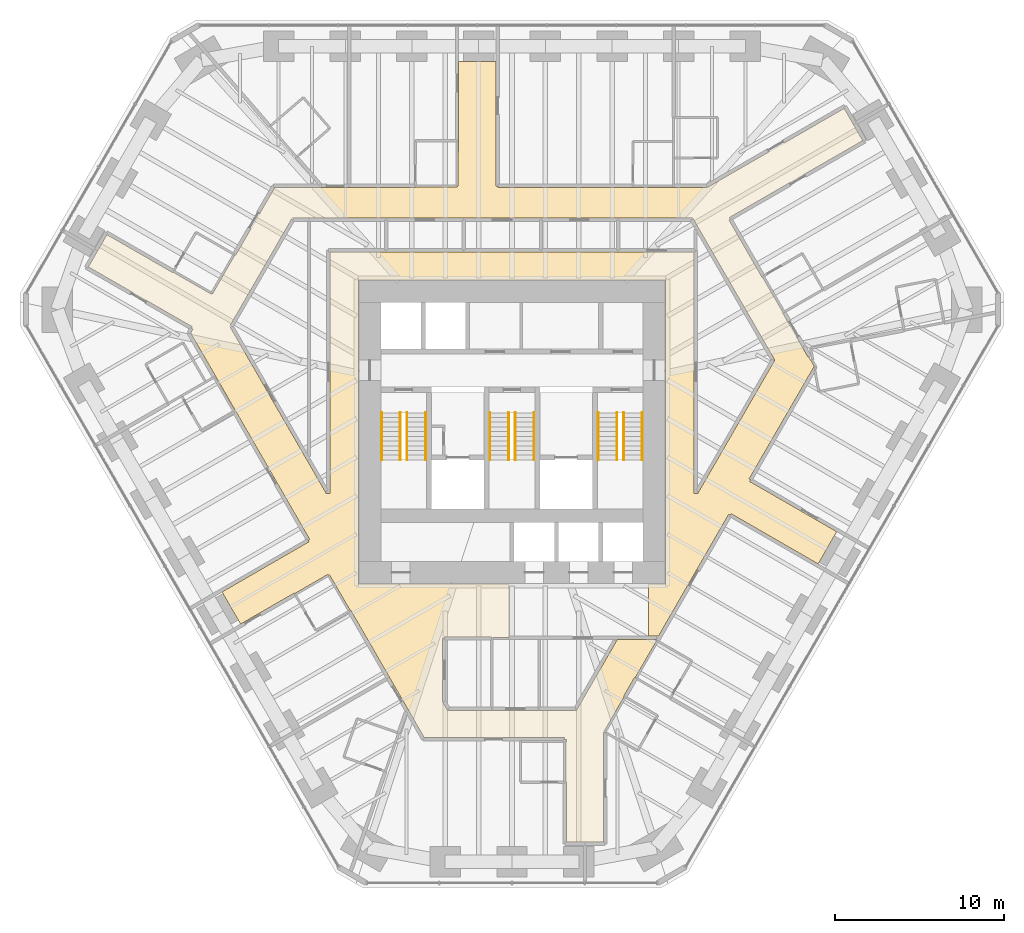
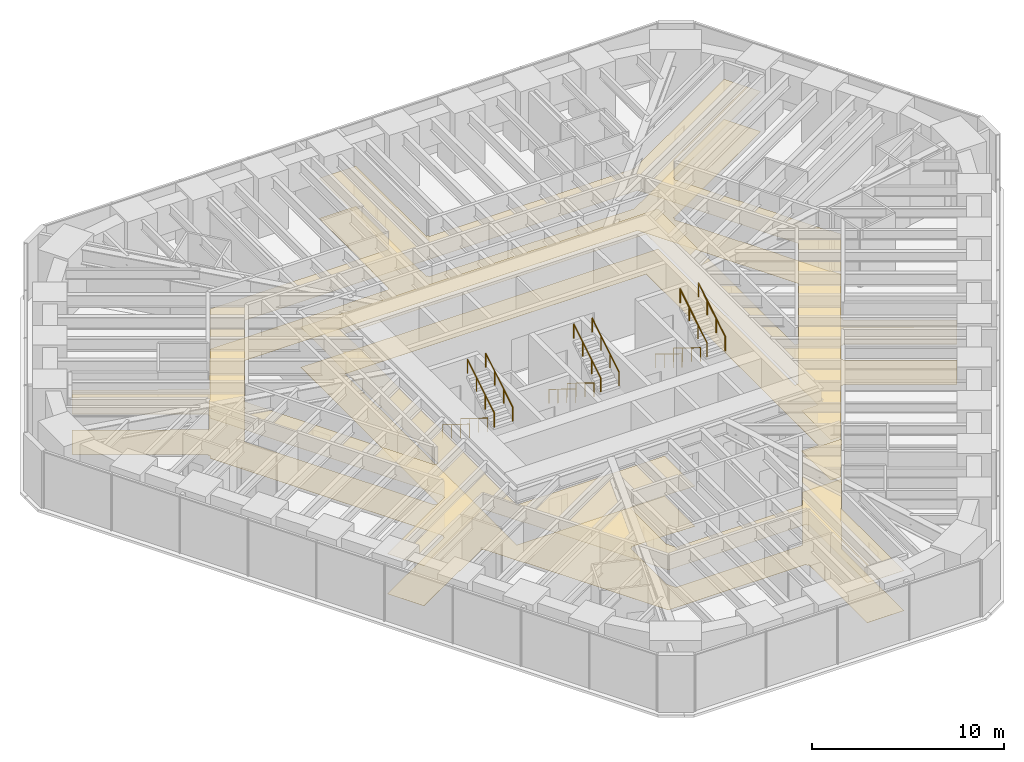
# One storey, part 17 of 17: 12 railings, 2 coverings.
"""IFC4 building model written with IfcOpenShell, lengths in metres."""

from ifc_helpers import new_model, si_unit, direction, frame, origin, origin_2d, place, context, subcontext, project, spatial, polyline, circle, outline, extrude, material, layer, layer_set, type_object, element, save


model = new_model("IFC4")

# Units and contexts
model_context = context("Model", 3, precision=1e-05, world=origin(), true_north=direction((0.0, 1.0)))
body_context = subcontext(model_context, "Body", "Model", "MODEL_VIEW")
ifc_project = project(units=[si_unit("LENGTHUNIT", "METRE"), si_unit("AREAUNIT", "SQUARE_METRE"), si_unit("VOLUMEUNIT", "CUBIC_METRE"), si_unit("PLANEANGLEUNIT", "RADIAN"), si_unit("MASSUNIT", "GRAM", prefix="KILO")], contexts=[model_context])

# Site, building, storey
site_placement = place(None, origin())
site = spatial("IfcSite", under=ifc_project, at=site_placement, CompositionType="ELEMENT")
building_placement = place(site_placement, origin())
building = spatial("IfcBuilding", under=site, at=building_placement, Name="Sandreach Pilgrim Tower", CompositionType="ELEMENT")
storey_placement = place(building_placement, frame((0.0, 0.0, 138.60009765625)))
storey = spatial("IfcBuildingStorey", under=building, at=storey_placement, Name="L34", CompositionType="ELEMENT", Elevation=138.60009765625)

# Coverings
ifc_material_1 = material(Name="Nylon carpet tile on the slab", Category="textile")
ifc_layer_1 = layer(ifc_material_1, 0.008056640625)
ifc_layer_set_1 = layer_set([ifc_layer_1], Name="Carpet tile")
covering_type_1 = type_object("IfcCoveringType", Name="Carpet tile", PredefinedType="FLOORING", material=ifc_layer_set_1)
covering_1_placement = place(storey_placement, origin())
element("IfcCovering", 1, at=covering_1_placement, inside=storey, type_object=covering_type_1, Name="Floor finish 34C Corridor 34", PredefinedType="FLOORING", context=body_context, shape_type="SweptSolid", body=[
    extrude(outline(polyline([(-25.033447265625, 8.206787109375), (-23.933349609375, 10.113525390625), (-20.04150390625, 7.870849609375), (-20.02880859375, 7.892578125), (-17.751708984375, 6.597412109375), (-17.72119140625, 6.649169921875), (-17.68798828125, 6.6298828125), (-16.37353515625, 8.923095703125), (-16.330322265625, 8.898193359375), (-14.022216796875, 12.889892578125), (-5.699951171875, 12.889892578125), (-5.699951171875, 12.9208984375), (-3.25, 12.929931640625), (-3.247802734375, 12.989990234375), (-3.18994140625, 12.989990234375), (-3.18994140625, 14.568115234375), (-3.14990234375, 15.659912109375), (-3.14990234375, 20.333740234375), (-0.949951171875, 20.333740234375), (-0.949951171875, 12.989990234375), (-0.840087890625, 12.989990234375), (-0.840087890625, 12.889892578125), (11.516845703125, 12.889892578125), (19.623291015625, 17.5732421875), (20.723388671875, 15.666748046875), (12.85009765625, 11.126708984375), (12.907470703125, 11.027099609375), (12.82080078125, 10.97705078125), (14.763427734375, 7.610107421875), (14.779052734375, 7.619140625), (16.013916015625, 5.501708984375), (15.991943359375, 5.489013671875), (17.48974609375, 2.88232421875), (17.52880859375, 2.904052734375), (17.8603515625, 2.335693359375), (14.010986328125, -4.31689453125), (14.097412109375, -4.366943359375), (14.0400390625, -4.466552734375), (19.1865234375, -7.435791015625), (18.085693359375, -9.342041015625), (12.952880859375, -6.380859375), (12.904541015625, -6.46484375), (12.803466796875, -6.41015625), (8.657470703125, -13.60009765625), (8.050048828125, -13.60009765625), (8.050048828125, -10.52001953125), (9.070068359375, -10.52001953125), (9.070068359375, 7.419921875), (-9.070068359375, 7.419921875), (-9.070068359375, -10.52001953125), (-0.175048828125, -10.52001953125), (-0.175048828125, -13.68994140625), (-1.199951171875, -13.67919921875), (-1.199951171875, -13.64990234375), (-3.989990234375, -13.64990234375), (-3.989990234375, -13.75), (-4.10009765625, -13.75), (-4.10009765625, -17.487060546875), (-3.8076171875, -17.989990234375), (3.8076171875, -17.989990234375), (6.2265625, -13.800048828125), (8.542236328125, -13.800048828125), (8.513427734375, -13.85009765625), (8.548095703125, -13.8701171875), (7.279541015625, -16.06103515625), (7.243408203125, -16.0400390625), (6.603271484375, -17.150146484375), (6.6376953125, -17.169677734375), (5.409912109375, -19.2900390625), (5.409912109375, -25.780029296875), (3.2099609375, -25.780029296875), (3.2099609375, -19.699951171875), (3.110107421875, -19.699951171875), (3.110107421875, -19.590087890625), (-5.192138671875, -19.590087890625), (-9.5234375, -12.090087890625), (-9.55029296875, -12.10546875), (-10.7880859375, -9.97998046875), (-10.840576171875, -10.009033203125), (-10.8701171875, -9.9580078125), (-12.840087890625, -11.09814453125), (-12.85986328125, -11.0634765625), (-16.033935546875, -12.89599609375), (-17.130615234375, -10.99658203125), (-12.0029296875, -8.0341796875), (-12.052978515625, -7.947509765625), (-11.953369140625, -7.89013671875), (-18.98486328125, 4.300048828125), (-18.858154296875, 4.521728515625), (-18.945068359375, 4.5712890625), (-18.89013671875, 4.666748046875), (-25.033447265625, 8.206787109375)]), holes=[polyline([(-10.96533203125, -5.18994140625), (-10.75, -5.18994140625), (-10.75, 9.10009765625), (10.75, 9.10009765625), (10.75, -5.18994140625), (10.965576171875, -5.18994140625), (15.525390625, 2.699951171875), (10.677734375, 11.090087890625), (-12.98779296875, 11.090087890625), (-16.675537109375, 4.699951171875), (-10.96533203125, -5.18994140625)])]), origin(), (0.0, 0.0, 1.0), 0.0078125),
])
ifc_material_2 = material(Name="Gypsum board suspended ceiling on a steel grid", Category="steel")
ifc_layer_2 = layer(ifc_material_2, 0.012939453125)
ifc_layer_set_2 = layer_set([ifc_layer_2], Name="Gypsum board suspended ceiling")
covering_type_2 = type_object("IfcCoveringType", Name="Gypsum board suspended ceiling", PredefinedType="CEILING", material=ifc_layer_set_2)
covering_2_placement = place(storey_placement, frame((0.0, 0.0, 2.5498046875)))
element("IfcCovering", 2, at=covering_2_placement, inside=storey, type_object=covering_type_2, Name="Ceiling 34C Corridor 34", PredefinedType="CEILING", context=body_context, shape_type="SweptSolid", body=[
    extrude(outline(polyline([(-25.033447265625, 8.206787109375), (-23.933349609375, 10.113525390625), (-20.04150390625, 7.870849609375), (-20.02880859375, 7.892578125), (-17.751708984375, 6.597412109375), (-17.72119140625, 6.649169921875), (-17.68798828125, 6.6298828125), (-16.37353515625, 8.923095703125), (-16.330322265625, 8.898193359375), (-14.022216796875, 12.889892578125), (-5.699951171875, 12.889892578125), (-5.699951171875, 12.9208984375), (-3.25, 12.929931640625), (-3.247802734375, 12.989990234375), (-3.18994140625, 12.989990234375), (-3.18994140625, 14.568115234375), (-3.14990234375, 15.659912109375), (-3.14990234375, 20.333740234375), (-0.949951171875, 20.333740234375), (-0.949951171875, 12.989990234375), (-0.840087890625, 12.989990234375), (-0.840087890625, 12.889892578125), (11.516845703125, 12.889892578125), (19.623291015625, 17.5732421875), (20.723388671875, 15.666748046875), (12.85009765625, 11.126708984375), (12.907470703125, 11.027099609375), (12.82080078125, 10.97705078125), (14.763427734375, 7.610107421875), (14.779052734375, 7.619140625), (16.013916015625, 5.501708984375), (15.991943359375, 5.489013671875), (17.48974609375, 2.88232421875), (17.52880859375, 2.904052734375), (17.8603515625, 2.335693359375), (14.010986328125, -4.31689453125), (14.097412109375, -4.366943359375), (14.0400390625, -4.466552734375), (19.1865234375, -7.435791015625), (18.085693359375, -9.342041015625), (12.952880859375, -6.380859375), (12.904541015625, -6.46484375), (12.803466796875, -6.41015625), (8.657470703125, -13.60009765625), (8.050048828125, -13.60009765625), (8.050048828125, -10.52001953125), (9.070068359375, -10.52001953125), (9.070068359375, 7.419921875), (-9.070068359375, 7.419921875), (-9.070068359375, -10.52001953125), (-0.175048828125, -10.52001953125), (-0.175048828125, -13.68994140625), (-1.199951171875, -13.67919921875), (-1.199951171875, -13.64990234375), (-3.989990234375, -13.64990234375), (-3.989990234375, -13.75), (-4.10009765625, -13.75), (-4.10009765625, -17.487060546875), (-3.8076171875, -17.989990234375), (3.8076171875, -17.989990234375), (6.2265625, -13.800048828125), (8.542236328125, -13.800048828125), (8.513427734375, -13.85009765625), (8.548095703125, -13.8701171875), (7.279541015625, -16.06103515625), (7.243408203125, -16.0400390625), (6.603271484375, -17.150146484375), (6.6376953125, -17.169677734375), (5.409912109375, -19.2900390625), (5.409912109375, -25.780029296875), (3.2099609375, -25.780029296875), (3.2099609375, -19.699951171875), (3.110107421875, -19.699951171875), (3.110107421875, -19.590087890625), (-5.192138671875, -19.590087890625), (-9.5234375, -12.090087890625), (-9.55029296875, -12.10546875), (-10.7880859375, -9.97998046875), (-10.840576171875, -10.009033203125), (-10.8701171875, -9.9580078125), (-12.840087890625, -11.09814453125), (-12.85986328125, -11.0634765625), (-16.033935546875, -12.89599609375), (-17.130615234375, -10.99658203125), (-12.0029296875, -8.0341796875), (-12.052978515625, -7.947509765625), (-11.953369140625, -7.89013671875), (-18.98486328125, 4.300048828125), (-18.858154296875, 4.521728515625), (-18.945068359375, 4.5712890625), (-18.89013671875, 4.666748046875), (-25.033447265625, 8.206787109375)]), holes=[polyline([(-10.96533203125, -5.18994140625), (-10.75, -5.18994140625), (-10.75, 9.10009765625), (10.75, 9.10009765625), (10.75, -5.18994140625), (10.965576171875, -5.18994140625), (15.525390625, 2.699951171875), (10.677734375, 11.090087890625), (-12.98779296875, 11.090087890625), (-16.675537109375, 4.699951171875), (-10.96533203125, -5.18994140625)])]), origin(), (0.0, 0.0, 1.0), 0.01318359375),
])

# Railings
ifc_material_3 = material(Name="Stainless steel tube", Category="steel")
railing_type = type_object("IfcRailingType", Name="Stair handrail", PredefinedType="HANDRAIL", material=ifc_material_3)
for number, where, name in (
    (3, (-6.60009765625, -0.39990234375, 0.172607421875), "Handrail ST1 L34 flight 1"),
    (4, (-7.699951171875, -0.39990234375, 0.172607421875), "Handrail ST1 L34 flight 1"),
):
    element("IfcRailing", number, at=place(storey_placement, frame(where)), inside=storey, type_object=railing_type, Name=name, PredefinedType="HANDRAIL", context=body_context, shape_type="SweptSolid", body=[
        extrude(circle(Radius=0.02392578125, at=origin_2d()), frame((0.0, 0.0, 0.8759765625), z_axis=(0.0, -0.851089632645, 0.525020415988), x_axis=(1.0, 0.0, 0.0)), (0.0, 0.0, 1.0), 3.2900390625),
        extrude(circle(Radius=0.02099609375, at=origin_2d()), origin(), (0.0, 0.0, 1.0), 0.851806640625),
        extrude(circle(Radius=0.02099609375, at=origin_2d()), frame((0.0, -0.933349609375, 0.57568359375)), (0.0, 0.0, 1.0), 0.851806640625),
        extrude(circle(Radius=0.02099609375, at=origin_2d()), frame((0.0, -1.86669921875, 1.151611328125)), (0.0, 0.0, 1.0), 0.851806640625),
        extrude(circle(Radius=0.02099609375, at=origin_2d()), frame((0.0, -2.800048828125, 1.727294921875)), (0.0, 0.0, 1.0), 0.851806640625),
    ])
for number, where, name in (
    (5, (-6.199951171875, -3.199951171875, 2.072509765625), "Handrail ST1 L34 flight 2"),
    (6, (-5.10009765625, -3.199951171875, 2.072509765625), "Handrail ST1 L34 flight 2"),
):
    element("IfcRailing", number, at=place(storey_placement, frame(where)), inside=storey, type_object=railing_type, Name=name, PredefinedType="HANDRAIL", context=body_context, shape_type="SweptSolid", body=[
        extrude(circle(Radius=0.02392578125, at=origin_2d()), frame((0.0, 0.0, 0.8759765625), z_axis=(0.0, 0.851089632645, 0.525020415988), x_axis=(-1.0, 0.0, 0.0)), (0.0, 0.0, 1.0), 3.2900390625),
        extrude(circle(Radius=0.02099609375, at=origin_2d()), origin(), (0.0, 0.0, 1.0), 0.851806640625),
        extrude(circle(Radius=0.02099609375, at=origin_2d()), frame((0.0, 0.933349609375, 0.57568359375)), (0.0, 0.0, 1.0), 0.851806640625),
        extrude(circle(Radius=0.02099609375, at=origin_2d()), frame((0.0, 1.86669921875, 1.151611328125)), (0.0, 0.0, 1.0), 0.851806640625),
        extrude(circle(Radius=0.02099609375, at=origin_2d()), frame((0.0, 2.800048828125, 1.727294921875)), (0.0, 0.0, 1.0), 0.851806640625),
    ])
for number, where, name in (
    (7, (-0.199951171875, -0.39990234375, 0.172607421875), "Handrail ST3 L34 flight 1"),
    (8, (-1.300048828125, -0.39990234375, 0.172607421875), "Handrail ST3 L34 flight 1"),
):
    element("IfcRailing", number, at=place(storey_placement, frame(where)), inside=storey, type_object=railing_type, Name=name, PredefinedType="HANDRAIL", context=body_context, shape_type="SweptSolid", body=[
        extrude(circle(Radius=0.02392578125, at=origin_2d()), frame((0.0, 0.0, 0.8759765625), z_axis=(0.0, -0.851089632645, 0.525020415988), x_axis=(1.0, 0.0, 0.0)), (0.0, 0.0, 1.0), 3.2900390625),
        extrude(circle(Radius=0.02099609375, at=origin_2d()), origin(), (0.0, 0.0, 1.0), 0.851806640625),
        extrude(circle(Radius=0.02099609375, at=origin_2d()), frame((0.0, -0.933349609375, 0.57568359375)), (0.0, 0.0, 1.0), 0.851806640625),
        extrude(circle(Radius=0.02099609375, at=origin_2d()), frame((0.0, -1.86669921875, 1.151611328125)), (0.0, 0.0, 1.0), 0.851806640625),
        extrude(circle(Radius=0.02099609375, at=origin_2d()), frame((0.0, -2.800048828125, 1.727294921875)), (0.0, 0.0, 1.0), 0.851806640625),
    ])
for number, where, name in (
    (9, (0.199951171875, -3.199951171875, 2.072509765625), "Handrail ST3 L34 flight 2"),
    (10, (1.300048828125, -3.199951171875, 2.072509765625), "Handrail ST3 L34 flight 2"),
):
    element("IfcRailing", number, at=place(storey_placement, frame(where)), inside=storey, type_object=railing_type, Name=name, PredefinedType="HANDRAIL", context=body_context, shape_type="SweptSolid", body=[
        extrude(circle(Radius=0.02392578125, at=origin_2d()), frame((0.0, 0.0, 0.8759765625), z_axis=(0.0, 0.851089632645, 0.525020415988), x_axis=(-1.0, 0.0, 0.0)), (0.0, 0.0, 1.0), 3.2900390625),
        extrude(circle(Radius=0.02099609375, at=origin_2d()), origin(), (0.0, 0.0, 1.0), 0.851806640625),
        extrude(circle(Radius=0.02099609375, at=origin_2d()), frame((0.0, 0.933349609375, 0.57568359375)), (0.0, 0.0, 1.0), 0.851806640625),
        extrude(circle(Radius=0.02099609375, at=origin_2d()), frame((0.0, 1.86669921875, 1.151611328125)), (0.0, 0.0, 1.0), 0.851806640625),
        extrude(circle(Radius=0.02099609375, at=origin_2d()), frame((0.0, 2.800048828125, 1.727294921875)), (0.0, 0.0, 1.0), 0.851806640625),
    ])
for number, where, name in (
    (11, (6.199951171875, -0.39990234375, 0.172607421875), "Handrail ST2 L34 flight 1"),
    (12, (5.10009765625, -0.39990234375, 0.172607421875), "Handrail ST2 L34 flight 1"),
):
    element("IfcRailing", number, at=place(storey_placement, frame(where)), inside=storey, type_object=railing_type, Name=name, PredefinedType="HANDRAIL", context=body_context, shape_type="SweptSolid", body=[
        extrude(circle(Radius=0.02392578125, at=origin_2d()), frame((0.0, 0.0, 0.8759765625), z_axis=(0.0, -0.851089632645, 0.525020415988), x_axis=(1.0, 0.0, 0.0)), (0.0, 0.0, 1.0), 3.2900390625),
        extrude(circle(Radius=0.02099609375, at=origin_2d()), origin(), (0.0, 0.0, 1.0), 0.851806640625),
        extrude(circle(Radius=0.02099609375, at=origin_2d()), frame((0.0, -0.933349609375, 0.57568359375)), (0.0, 0.0, 1.0), 0.851806640625),
        extrude(circle(Radius=0.02099609375, at=origin_2d()), frame((0.0, -1.86669921875, 1.151611328125)), (0.0, 0.0, 1.0), 0.851806640625),
        extrude(circle(Radius=0.02099609375, at=origin_2d()), frame((0.0, -2.800048828125, 1.727294921875)), (0.0, 0.0, 1.0), 0.851806640625),
    ])
for number, where, name in (
    (13, (6.60009765625, -3.199951171875, 2.072509765625), "Handrail ST2 L34 flight 2"),
    (14, (7.699951171875, -3.199951171875, 2.072509765625), "Handrail ST2 L34 flight 2"),
):
    element("IfcRailing", number, at=place(storey_placement, frame(where)), inside=storey, type_object=railing_type, Name=name, PredefinedType="HANDRAIL", context=body_context, shape_type="SweptSolid", body=[
        extrude(circle(Radius=0.02392578125, at=origin_2d()), frame((0.0, 0.0, 0.8759765625), z_axis=(0.0, 0.851089632645, 0.525020415988), x_axis=(-1.0, 0.0, 0.0)), (0.0, 0.0, 1.0), 3.2900390625),
        extrude(circle(Radius=0.02099609375, at=origin_2d()), origin(), (0.0, 0.0, 1.0), 0.851806640625),
        extrude(circle(Radius=0.02099609375, at=origin_2d()), frame((0.0, 0.933349609375, 0.57568359375)), (0.0, 0.0, 1.0), 0.851806640625),
        extrude(circle(Radius=0.02099609375, at=origin_2d()), frame((0.0, 1.86669921875, 1.151611328125)), (0.0, 0.0, 1.0), 0.851806640625),
        extrude(circle(Radius=0.02099609375, at=origin_2d()), frame((0.0, 2.800048828125, 1.727294921875)), (0.0, 0.0, 1.0), 0.851806640625),
    ])

save(model, "model.ifc")
